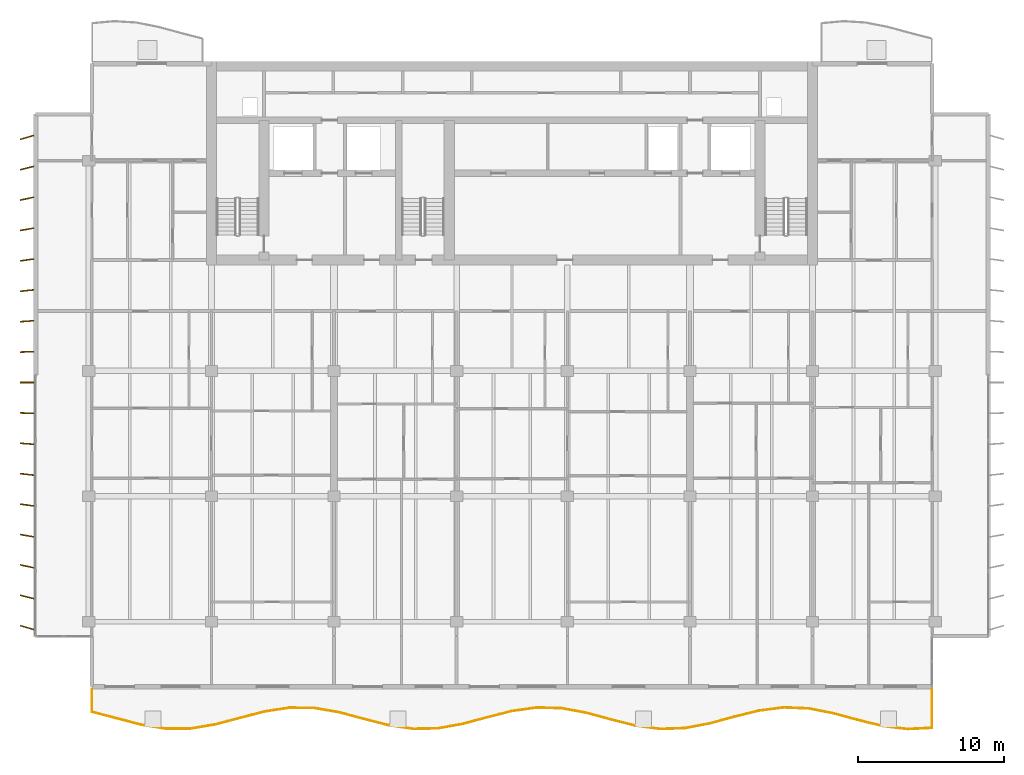
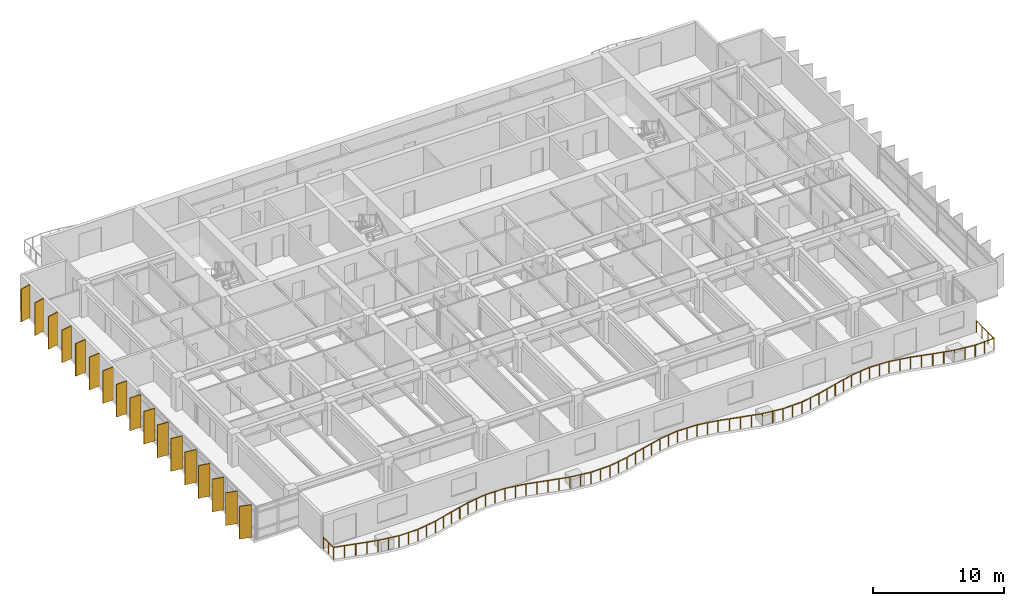
# One storey, part 16 of 19: 17 shading devices, 1 railing.
"""IFC4 building model written with IfcOpenShell, lengths in metres."""

from ifc_helpers import new_model, si_unit, direction, frame, origin, origin_2d, place, context, subcontext, project, spatial, rectangle, circle, extrude, material, material_profile, profile_set, type_object, element, save


model = new_model("IFC4")

# Units and contexts
model_context = context("Model", 3, precision=1e-05, world=origin(), true_north=direction((0.0, 1.0)))
body_context = subcontext(model_context, "Body", "Model", "MODEL_VIEW")
ifc_project = project(units=[si_unit("LENGTHUNIT", "METRE"), si_unit("AREAUNIT", "SQUARE_METRE"), si_unit("VOLUMEUNIT", "CUBIC_METRE"), si_unit("PLANEANGLEUNIT", "RADIAN"), si_unit("MASSUNIT", "GRAM", prefix="KILO")], contexts=[model_context])

# Site, building, storey
site_placement = place(None, origin())
site = spatial("IfcSite", under=ifc_project, at=site_placement, CompositionType="ELEMENT")
building_placement = place(site_placement, origin())
building = spatial("IfcBuilding", under=site, at=building_placement, Name="Caelmar Bay Residences", CompositionType="ELEMENT")
storey_placement = place(building_placement, frame((0.0, 0.0, 188.39990234375)))
storey = spatial("IfcBuildingStorey", under=building, at=storey_placement, Name="L52", CompositionType="ELEMENT", Elevation=188.39990234375)

# Railing
ifc_material_1 = material(Name="Anodised bronze handrail with laminated hurricane glass infill", Category="glass")
railing_type = type_object("IfcRailingType", Name="RL-BAL-1100", PredefinedType="BALUSTRADE", material=ifc_material_1)
railing_placement = place(storey_placement, frame((10.10009765625, 7.60009765625, 0.0)))
element("IfcRailing", 1, at=railing_placement, inside=storey, type_object=railing_type, Name="L52 south Balcony Balustrade", PredefinedType="BALUSTRADE", context=body_context, shape_type="SweptSolid", body=[
    extrude(circle(Radius=0.02392578125, at=origin_2d()), frame((0.0, 0.0, 1.076171875), z_axis=(0.0, -1.0, 0.0), x_axis=(1.0, 0.0, 0.0)), (0.0, 0.0, 1.0), 1.579345703125),
    extrude(circle(Radius=0.02392578125, at=origin_2d()), frame((0.0, -1.579345703125, 1.076171875), z_axis=(0.967213419864, -0.253964959071, 0.0), x_axis=(0.253964959071, 0.967213419864, 0.0)), (0.0, 0.0, 1.0), 1.75146484375),
    extrude(circle(Radius=0.02392578125, at=origin_2d()), frame((1.694091796875, -2.024169921875, 1.076171875), z_axis=(0.967452721497, -0.25305183593, 0.0), x_axis=(0.25305183593, 0.967452721497, 0.0)), (0.0, 0.0, 1.0), 1.7509765625),
    extrude(circle(Radius=0.02392578125, at=origin_2d()), frame((3.38818359375, -2.46728515625, 1.076171875), z_axis=(0.987556706693, -0.15726331761, 0.0), x_axis=(0.15726331761, 0.987556706693, 0.0)), (0.0, 0.0, 1.0), 1.71533203125),
    extrude(circle(Radius=0.02392578125, at=origin_2d()), frame((5.082275390625, -2.737060546875, 1.076171875), z_axis=(0.99998654225, 0.005187997625, 0.0), x_axis=(-0.005187997625, 0.99998654225, 0.0)), (0.0, 0.0, 1.0), 1.694091796875),
    extrude(circle(Radius=0.02392578125, at=origin_2d()), frame((6.7763671875, -2.728271484375, 1.076171875), z_axis=(0.986290005776, 0.165021285013, 0.0), x_axis=(-0.165021285013, 0.986290005776, 0.0)), (0.0, 0.0, 1.0), 1.717529296875),
    extrude(circle(Radius=0.02392578125, at=origin_2d()), frame((8.470458984375, -2.44482421875, 1.076171875), z_axis=(0.966698132287, 0.255919364319, 0.0), x_axis=(-0.255919364319, 0.966698132287, 0.0)), (0.0, 0.0, 1.0), 1.75244140625),
    extrude(circle(Radius=0.02392578125, at=origin_2d()), frame((10.16455078125, -1.996337890625, 1.076171875), z_axis=(0.967996898166, 0.250962158784, 0.0), x_axis=(-0.250962158784, 0.967996898166, 0.0)), (0.0, 0.0, 1.0), 1.75),
    extrude(circle(Radius=0.02392578125, at=origin_2d()), frame((11.858642578125, -1.55712890625, 1.076171875), z_axis=(0.988468659094, 0.151425592249, 0.0), x_axis=(-0.151425592249, 0.988468659094, 0.0)), (0.0, 0.0, 1.0), 1.7138671875),
    extrude(circle(Radius=0.02392578125, at=origin_2d()), frame((13.552734375, -1.297607421875, 1.076171875), z_axis=(0.999923228867, -0.012390979493, 0.0), x_axis=(0.012390979493, 0.999923228867, 0.0)), (0.0, 0.0, 1.0), 1.694580078125),
    extrude(circle(Radius=0.02392578125, at=origin_2d()), frame((15.2470703125, -1.318603515625, 1.076171875), z_axis=(0.985350046959, -0.170544085084, 0.0), x_axis=(0.170544085084, 0.985350046959, 0.0)), (0.0, 0.0, 1.0), 1.71923828125),
    extrude(circle(Radius=0.02392578125, at=origin_2d()), frame((16.941162109375, -1.61181640625, 1.076171875), z_axis=(0.966248805322, -0.257610648486, 0.0), x_axis=(0.257610648486, 0.966248805322, 0.0)), (0.0, 0.0, 1.0), 1.753173828125),
    extrude(circle(Radius=0.02392578125, at=origin_2d()), frame((18.63525390625, -2.0634765625, 1.076171875), z_axis=(0.968570799797, -0.248738026407, 0.0), x_axis=(0.248738026407, 0.968570799797, 0.0)), (0.0, 0.0, 1.0), 1.7490234375),
    extrude(circle(Radius=0.02392578125, at=origin_2d()), frame((20.329345703125, -2.49853515625, 1.076171875), z_axis=(0.989368188115, -0.145432418486, 0.0), x_axis=(0.145432418486, 0.989368188115, 0.0)), (0.0, 0.0, 1.0), 1.71240234375),
    extrude(circle(Radius=0.02392578125, at=origin_2d()), frame((22.0234375, -2.74755859375, 1.076171875), z_axis=(0.999807987745, 0.019595602584, 0.0), x_axis=(-0.019595602584, 0.999807987745, 0.0)), (0.0, 0.0, 1.0), 1.6943359375),
    extrude(circle(Radius=0.02392578125, at=origin_2d()), frame((23.717529296875, -2.71435546875, 1.076171875), z_axis=(0.984381072072, 0.176050858977, 0.0), x_axis=(-0.176050858977, 0.984381072072, 0.0)), (0.0, 0.0, 1.0), 1.720947265625),
    extrude(circle(Radius=0.02392578125, at=origin_2d()), frame((25.41162109375, -2.411376953125, 1.076171875), z_axis=(0.965831790845, 0.259169735488, 0.0), x_axis=(-0.259169735488, 0.965831790845, 0.0)), (0.0, 0.0, 1.0), 1.75390625),
    extrude(circle(Radius=0.02392578125, at=origin_2d()), frame((27.105712890625, -1.956787109375, 1.076171875), z_axis=(0.969240289896, 0.246116355497, 0.0), x_axis=(-0.246116355497, 0.969240289896, 0.0)), (0.0, 0.0, 1.0), 1.747802734375),
    extrude(circle(Radius=0.02392578125, at=origin_2d()), frame((28.7998046875, -1.526611328125, 1.076171875), z_axis=(0.990232888477, 0.139423192397, 0.0), x_axis=(-0.139423192397, 0.990232888477, 0.0)), (0.0, 0.0, 1.0), 1.710693359375),
    extrude(circle(Radius=0.02392578125, at=origin_2d()), frame((30.493896484375, -1.2880859375, 1.076171875), z_axis=(0.999640939062, -0.026795390498, 0.0), x_axis=(0.026795390498, 0.999640939062, 0.0)), (0.0, 0.0, 1.0), 1.694580078125),
    extrude(circle(Radius=0.02392578125, at=origin_2d()), frame((32.18798828125, -1.33349609375, 1.076171875), z_axis=(0.98343856871, -0.181241776568, 0.0), x_axis=(0.181241776568, 0.98343856871, 0.0)), (0.0, 0.0, 1.0), 1.722900390625),
    extrude(circle(Radius=0.02392578125, at=origin_2d()), frame((33.88232421875, -1.645751953125, 1.076171875), z_axis=(0.965447637302, -0.260597121295, 0.0), x_axis=(0.260597121295, 0.965447637302, 0.0)), (0.0, 0.0, 1.0), 1.754638671875),
    extrude(circle(Radius=0.02392578125, at=origin_2d()), frame((35.576416015625, -2.10302734375, 1.076171875), z_axis=(0.969903590413, -0.243489271437, 0.0), x_axis=(0.243489271437, 0.969903590413, 0.0)), (0.0, 0.0, 1.0), 1.74658203125),
    extrude(circle(Radius=0.02392578125, at=origin_2d()), frame((37.2705078125, -2.5283203125, 1.076171875), z_axis=(0.99108135011, -0.133258236007, 0.0), x_axis=(0.133258236007, 0.99108135011, 0.0)), (0.0, 0.0, 1.0), 1.709228515625),
    extrude(circle(Radius=0.02392578125, at=origin_2d()), frame((38.964599609375, -2.756103515625, 1.076171875), z_axis=(0.999422138627, 0.033991010912, 0.0), x_axis=(-0.033991010912, 0.999422138627, 0.0)), (0.0, 0.0, 1.0), 1.695068359375),
    extrude(circle(Radius=0.02392578125, at=origin_2d()), frame((40.65869140625, -2.698486328125, 1.076171875), z_axis=(0.982486971214, 0.186331294728, 0.0), x_axis=(-0.186331294728, 0.982486971214, 0.0)), (0.0, 0.0, 1.0), 1.724365234375),
    extrude(circle(Radius=0.02392578125, at=origin_2d()), frame((42.352783203125, -2.377197265625, 1.076171875), z_axis=(0.965106381562, 0.261858114767, 0.0), x_axis=(-0.261858114767, 0.965106381562, 0.0)), (0.0, 0.0, 1.0), 1.755615234375),
    extrude(circle(Radius=0.02392578125, at=origin_2d()), frame((44.047119140625, -1.91748046875, 1.076171875), z_axis=(0.970626021938, 0.240593278244, 0.0), x_axis=(-0.240593278244, 0.970626021938, 0.0)), (0.0, 0.0, 1.0), 1.745361328125),
    extrude(circle(Radius=0.02392578125, at=origin_2d()), frame((45.7412109375, -1.49755859375, 1.076171875), z_axis=(0.991892756224, 0.127077772054, 0.0), x_axis=(-0.127077772054, 0.991892756224, 0.0)), (0.0, 0.0, 1.0), 1.7080078125),
    extrude(circle(Radius=0.02392578125, at=origin_2d()), frame((47.435302734375, -1.280517578125, 1.076171875), z_axis=(0.999145753411, -0.041325094571, 0.0), x_axis=(0.041325094571, 0.999145753411, 0.0)), (0.0, 0.0, 1.0), 1.695556640625),
    extrude(circle(Radius=0.02392578125, at=origin_2d()), frame((49.12939453125, -1.3505859375, 1.076171875), z_axis=(0.981568979673, -0.191108184398, 0.0), x_axis=(0.191108184398, 0.981568979673, 0.0)), (0.0, 0.0, 1.0), 1.725830078125),
    extrude(circle(Radius=0.02392578125, at=origin_2d()), frame((50.823486328125, -1.680419921875, 1.076171875), z_axis=(0.96477986221, -0.263058581828, 0.0), x_axis=(0.263058581828, 0.96477986221, 0.0)), (0.0, 0.0, 1.0), 1.755859375),
    extrude(circle(Radius=0.02392578125, at=origin_2d()), frame((52.517578125, -2.142333984375, 1.076171875), z_axis=(0.971373168948, -0.237558764621, 0.0), x_axis=(0.237558764621, 0.971373168948, 0.0)), (0.0, 0.0, 1.0), 1.743896484375),
    extrude(circle(Radius=0.02392578125, at=origin_2d()), frame((54.211669921875, -2.556640625, 1.076171875), z_axis=(0.992683982809, -0.120741501872, 0.0), x_axis=(0.120741501872, 0.992683982809, 0.0)), (0.0, 0.0, 1.0), 1.70654296875),
    extrude(circle(Radius=0.02392578125, at=origin_2d()), frame((55.90576171875, -2.7626953125, 1.076171875), z_axis=(0.998822750284, 0.048508901404, 0.0), x_axis=(-0.048508901404, 0.998822750284, 0.0)), (0.0, 0.0, 1.0), 1.696044921875),
    extrude(circle(Radius=0.02392578125, at=origin_2d()), frame((57.599853515625, -2.680419921875, 1.076171875), z_axis=(0.0, 1.0, 0.0), x_axis=(-1.0, 0.0, 0.0)), (0.0, 0.0, 1.0), 2.680419921875),
    extrude(circle(Radius=0.02099609375, at=origin_2d()), origin(), (0.0, 0.0, 1.0), 1.052001953125),
    extrude(circle(Radius=0.02099609375, at=origin_2d()), frame((0.0, -0.78955078125, 0.0)), (0.0, 0.0, 1.0), 1.052001953125),
    extrude(circle(Radius=0.02099609375, at=origin_2d()), frame((0.0, -1.579345703125, 0.0)), (0.0, 0.0, 1.0), 1.052001953125),
    extrude(circle(Radius=0.02099609375, at=origin_2d()), frame((0.84716796875, -1.8017578125, 0.0)), (0.0, 0.0, 1.0), 1.052001953125),
    extrude(circle(Radius=0.02099609375, at=origin_2d()), frame((1.694091796875, -2.024169921875, 0.0)), (0.0, 0.0, 1.0), 1.052001953125),
    extrude(circle(Radius=0.02099609375, at=origin_2d()), frame((2.541015625, -2.24560546875, 0.0)), (0.0, 0.0, 1.0), 1.052001953125),
    extrude(circle(Radius=0.02099609375, at=origin_2d()), frame((3.38818359375, -2.46728515625, 0.0)), (0.0, 0.0, 1.0), 1.052001953125),
    extrude(circle(Radius=0.02099609375, at=origin_2d()), frame((4.2353515625, -2.60205078125, 0.0)), (0.0, 0.0, 1.0), 1.052001953125),
    extrude(circle(Radius=0.02099609375, at=origin_2d()), frame((5.082275390625, -2.737060546875, 0.0)), (0.0, 0.0, 1.0), 1.052001953125),
    extrude(circle(Radius=0.02099609375, at=origin_2d()), frame((5.92919921875, -2.732666015625, 0.0)), (0.0, 0.0, 1.0), 1.052001953125),
    extrude(circle(Radius=0.02099609375, at=origin_2d()), frame((6.7763671875, -2.728271484375, 0.0)), (0.0, 0.0, 1.0), 1.052001953125),
    extrude(circle(Radius=0.02099609375, at=origin_2d()), frame((7.62353515625, -2.58642578125, 0.0)), (0.0, 0.0, 1.0), 1.052001953125),
    extrude(circle(Radius=0.02099609375, at=origin_2d()), frame((8.470458984375, -2.44482421875, 0.0)), (0.0, 0.0, 1.0), 1.052001953125),
    extrude(circle(Radius=0.02099609375, at=origin_2d()), frame((9.3173828125, -2.220703125, 0.0)), (0.0, 0.0, 1.0), 1.052001953125),
    extrude(circle(Radius=0.02099609375, at=origin_2d()), frame((10.16455078125, -1.996337890625, 0.0)), (0.0, 0.0, 1.0), 1.052001953125),
    extrude(circle(Radius=0.02099609375, at=origin_2d()), frame((11.01171875, -1.77685546875, 0.0)), (0.0, 0.0, 1.0), 1.052001953125),
    extrude(circle(Radius=0.02099609375, at=origin_2d()), frame((11.858642578125, -1.55712890625, 0.0)), (0.0, 0.0, 1.0), 1.052001953125),
    extrude(circle(Radius=0.02099609375, at=origin_2d()), frame((12.70556640625, -1.42724609375, 0.0)), (0.0, 0.0, 1.0), 1.052001953125),
    extrude(circle(Radius=0.02099609375, at=origin_2d()), frame((13.552734375, -1.297607421875, 0.0)), (0.0, 0.0, 1.0), 1.052001953125),
    extrude(circle(Radius=0.02099609375, at=origin_2d()), frame((14.39990234375, -1.30810546875, 0.0)), (0.0, 0.0, 1.0), 1.052001953125),
    extrude(circle(Radius=0.02099609375, at=origin_2d()), frame((15.2470703125, -1.318603515625, 0.0)), (0.0, 0.0, 1.0), 1.052001953125),
    extrude(circle(Radius=0.02099609375, at=origin_2d()), frame((16.09423828125, -1.46533203125, 0.0)), (0.0, 0.0, 1.0), 1.052001953125),
    extrude(circle(Radius=0.02099609375, at=origin_2d()), frame((16.941162109375, -1.61181640625, 0.0)), (0.0, 0.0, 1.0), 1.052001953125),
    extrude(circle(Radius=0.02099609375, at=origin_2d()), frame((17.7880859375, -1.837646484375, 0.0)), (0.0, 0.0, 1.0), 1.052001953125),
    extrude(circle(Radius=0.02099609375, at=origin_2d()), frame((18.63525390625, -2.0634765625, 0.0)), (0.0, 0.0, 1.0), 1.052001953125),
    extrude(circle(Radius=0.02099609375, at=origin_2d()), frame((19.482421875, -2.281005859375, 0.0)), (0.0, 0.0, 1.0), 1.052001953125),
    extrude(circle(Radius=0.02099609375, at=origin_2d()), frame((20.329345703125, -2.49853515625, 0.0)), (0.0, 0.0, 1.0), 1.052001953125),
    extrude(circle(Radius=0.02099609375, at=origin_2d()), frame((21.17626953125, -2.623046875, 0.0)), (0.0, 0.0, 1.0), 1.052001953125),
    extrude(circle(Radius=0.02099609375, at=origin_2d()), frame((22.0234375, -2.74755859375, 0.0)), (0.0, 0.0, 1.0), 1.052001953125),
    extrude(circle(Radius=0.02099609375, at=origin_2d()), frame((22.87060546875, -2.73095703125, 0.0)), (0.0, 0.0, 1.0), 1.052001953125),
    extrude(circle(Radius=0.02099609375, at=origin_2d()), frame((23.717529296875, -2.71435546875, 0.0)), (0.0, 0.0, 1.0), 1.052001953125),
    extrude(circle(Radius=0.02099609375, at=origin_2d()), frame((24.564453125, -2.56298828125, 0.0)), (0.0, 0.0, 1.0), 1.052001953125),
    extrude(circle(Radius=0.02099609375, at=origin_2d()), frame((25.41162109375, -2.411376953125, 0.0)), (0.0, 0.0, 1.0), 1.052001953125),
    extrude(circle(Radius=0.02099609375, at=origin_2d()), frame((26.2587890625, -2.18408203125, 0.0)), (0.0, 0.0, 1.0), 1.052001953125),
    extrude(circle(Radius=0.02099609375, at=origin_2d()), frame((27.105712890625, -1.956787109375, 0.0)), (0.0, 0.0, 1.0), 1.052001953125),
    extrude(circle(Radius=0.02099609375, at=origin_2d()), frame((27.95263671875, -1.74169921875, 0.0)), (0.0, 0.0, 1.0), 1.052001953125),
    extrude(circle(Radius=0.02099609375, at=origin_2d()), frame((28.7998046875, -1.526611328125, 0.0)), (0.0, 0.0, 1.0), 1.052001953125),
    extrude(circle(Radius=0.02099609375, at=origin_2d()), frame((29.64697265625, -1.4072265625, 0.0)), (0.0, 0.0, 1.0), 1.052001953125),
    extrude(circle(Radius=0.02099609375, at=origin_2d()), frame((30.493896484375, -1.2880859375, 0.0)), (0.0, 0.0, 1.0), 1.052001953125),
    extrude(circle(Radius=0.02099609375, at=origin_2d()), frame((31.3408203125, -1.310791015625, 0.0)), (0.0, 0.0, 1.0), 1.052001953125),
    extrude(circle(Radius=0.02099609375, at=origin_2d()), frame((32.18798828125, -1.33349609375, 0.0)), (0.0, 0.0, 1.0), 1.052001953125),
    extrude(circle(Radius=0.02099609375, at=origin_2d()), frame((33.03515625, -1.48974609375, 0.0)), (0.0, 0.0, 1.0), 1.052001953125),
    extrude(circle(Radius=0.02099609375, at=origin_2d()), frame((33.88232421875, -1.645751953125, 0.0)), (0.0, 0.0, 1.0), 1.052001953125),
    extrude(circle(Radius=0.02099609375, at=origin_2d()), frame((34.7294921875, -1.87451171875, 0.0)), (0.0, 0.0, 1.0), 1.052001953125),
    extrude(circle(Radius=0.02099609375, at=origin_2d()), frame((35.576416015625, -2.10302734375, 0.0)), (0.0, 0.0, 1.0), 1.052001953125),
    extrude(circle(Radius=0.02099609375, at=origin_2d()), frame((36.42333984375, -2.315673828125, 0.0)), (0.0, 0.0, 1.0), 1.052001953125),
    extrude(circle(Radius=0.02099609375, at=origin_2d()), frame((37.2705078125, -2.5283203125, 0.0)), (0.0, 0.0, 1.0), 1.052001953125),
    extrude(circle(Radius=0.02099609375, at=origin_2d()), frame((38.11767578125, -2.64208984375, 0.0)), (0.0, 0.0, 1.0), 1.052001953125),
    extrude(circle(Radius=0.02099609375, at=origin_2d()), frame((38.964599609375, -2.756103515625, 0.0)), (0.0, 0.0, 1.0), 1.052001953125),
    extrude(circle(Radius=0.02099609375, at=origin_2d()), frame((39.8115234375, -2.727294921875, 0.0)), (0.0, 0.0, 1.0), 1.052001953125),
    extrude(circle(Radius=0.02099609375, at=origin_2d()), frame((40.65869140625, -2.698486328125, 0.0)), (0.0, 0.0, 1.0), 1.052001953125),
    extrude(circle(Radius=0.02099609375, at=origin_2d()), frame((41.505859375, -2.537841796875, 0.0)), (0.0, 0.0, 1.0), 1.052001953125),
    extrude(circle(Radius=0.02099609375, at=origin_2d()), frame((42.352783203125, -2.377197265625, 0.0)), (0.0, 0.0, 1.0), 1.052001953125),
    extrude(circle(Radius=0.02099609375, at=origin_2d()), frame((43.199951171875, -2.1474609375, 0.0)), (0.0, 0.0, 1.0), 1.052001953125),
    extrude(circle(Radius=0.02099609375, at=origin_2d()), frame((44.047119140625, -1.91748046875, 0.0)), (0.0, 0.0, 1.0), 1.052001953125),
    extrude(circle(Radius=0.02099609375, at=origin_2d()), frame((44.89404296875, -1.70751953125, 0.0)), (0.0, 0.0, 1.0), 1.052001953125),
    extrude(circle(Radius=0.02099609375, at=origin_2d()), frame((45.7412109375, -1.49755859375, 0.0)), (0.0, 0.0, 1.0), 1.052001953125),
    extrude(circle(Radius=0.02099609375, at=origin_2d()), frame((46.58837890625, -1.38916015625, 0.0)), (0.0, 0.0, 1.0), 1.052001953125),
    extrude(circle(Radius=0.02099609375, at=origin_2d()), frame((47.435302734375, -1.280517578125, 0.0)), (0.0, 0.0, 1.0), 1.052001953125),
    extrude(circle(Radius=0.02099609375, at=origin_2d()), frame((48.2822265625, -1.3154296875, 0.0)), (0.0, 0.0, 1.0), 1.052001953125),
    extrude(circle(Radius=0.02099609375, at=origin_2d()), frame((49.12939453125, -1.3505859375, 0.0)), (0.0, 0.0, 1.0), 1.052001953125),
    extrude(circle(Radius=0.02099609375, at=origin_2d()), frame((49.9765625, -1.515625, 0.0)), (0.0, 0.0, 1.0), 1.052001953125),
    extrude(circle(Radius=0.02099609375, at=origin_2d()), frame((50.823486328125, -1.680419921875, 0.0)), (0.0, 0.0, 1.0), 1.052001953125),
    extrude(circle(Radius=0.02099609375, at=origin_2d()), frame((51.67041015625, -1.911376953125, 0.0)), (0.0, 0.0, 1.0), 1.052001953125),
    extrude(circle(Radius=0.02099609375, at=origin_2d()), frame((52.517578125, -2.142333984375, 0.0)), (0.0, 0.0, 1.0), 1.052001953125),
    extrude(circle(Radius=0.02099609375, at=origin_2d()), frame((53.36474609375, -2.349609375, 0.0)), (0.0, 0.0, 1.0), 1.052001953125),
    extrude(circle(Radius=0.02099609375, at=origin_2d()), frame((54.211669921875, -2.556640625, 0.0)), (0.0, 0.0, 1.0), 1.052001953125),
    extrude(circle(Radius=0.02099609375, at=origin_2d()), frame((55.05859375, -2.65966796875, 0.0)), (0.0, 0.0, 1.0), 1.052001953125),
    extrude(circle(Radius=0.02099609375, at=origin_2d()), frame((55.90576171875, -2.7626953125, 0.0)), (0.0, 0.0, 1.0), 1.052001953125),
    extrude(circle(Radius=0.02099609375, at=origin_2d()), frame((56.7529296875, -2.7216796875, 0.0)), (0.0, 0.0, 1.0), 1.052001953125),
    extrude(circle(Radius=0.02099609375, at=origin_2d()), frame((57.599853515625, -2.680419921875, 0.0)), (0.0, 0.0, 1.0), 1.052001953125),
    extrude(circle(Radius=0.02099609375, at=origin_2d()), frame((57.599853515625, -1.786865234375, 0.0)), (0.0, 0.0, 1.0), 1.052001953125),
    extrude(circle(Radius=0.02099609375, at=origin_2d()), frame((57.599853515625, -0.8935546875, 0.0)), (0.0, 0.0, 1.0), 1.052001953125),
    extrude(circle(Radius=0.02099609375, at=origin_2d()), frame((57.599853515625, 0.0, 0.0)), (0.0, 0.0, 1.0), 1.052001953125),
])

# Shading devices
ifc_material_2 = material(Name="Anodised architectural bronze aluminium 6063-T6", Category="aluminium")
ifc_material_profile = material_profile(ifc_material_2, rectangle(XDim=0.074951171875, YDim=0.949951171875, at=origin_2d()), Name="BRONZE-FIN-75X950")
ifc_profile_set = profile_set([ifc_material_profile], Name="Anodised architectural bronze aluminium 6063-T6")
shading_device_type = type_object("IfcShadingDeviceType", Name="SHD-FIN-950", PredefinedType="USERDEFINED", material=ifc_profile_set)
for number, where, z_axis, x_axis, name in (
    (2, (5.64990234375, 11.800048828125, 0.0), (0.0, 0.0, 1.0), (0.275637355817, 0.961261695938, 0.0), "L52 West Bronze Solar Fin 1"),
    (3, (5.64990234375, 13.89990234375, 0.0), (0.0, 0.0, 1.0), (0.2419218956, 0.970295726276, 0.0), "L52 West Bronze Solar Fin 2"),
    (4, (5.64990234375, 16.0, 0.0), (0.0, 0.0, 1.0), (0.207911690818, 0.978147600734, 0.0), "L52 West Bronze Solar Fin 3"),
    (5, (5.64990234375, 18.10009765625, 0.0), (0.0, 0.0, 1.0), (0.173648177667, 0.984807753012, 0.0), "L52 West Bronze Solar Fin 4"),
    (6, (5.64990234375, 20.199951171875, 0.0), (0.0, 0.0, 1.0), (0.13917310096, 0.990268068742, 0.0), "L52 West Bronze Solar Fin 5"),
    (7, (5.64990234375, 22.300048828125, 0.0), (0.0, 0.0, 1.0), (0.104528463268, 0.994521895368, 0.0), "L52 West Bronze Solar Fin 6"),
    (8, (5.64990234375, 24.39990234375, 0.0), (0.0, 0.0, 1.0), (0.069756473744, 0.99756405026, 0.0), "L52 West Bronze Solar Fin 7"),
    (9, (5.64990234375, 26.5, 0.0), (0.0, 0.0, 1.0), (0.034899496703, 0.999390827019, 0.0), "L52 West Bronze Solar Fin 8"),
    (10, (5.64990234375, 28.60009765625, 0.0), (0.0, 0.0, 1.0), (0.0, 1.0, 0.0), "L52 West Bronze Solar Fin 9"),
    (11, (5.64990234375, 30.699951171875, 0.0), (0.0, 0.0, 1.0), (-0.034899496703, 0.999390827019, 0.0), "L52 West Bronze Solar Fin 10"),
    (12, (5.64990234375, 32.800048828125, 0.0), (0.0, 0.0, 1.0), (-0.069756473744, 0.99756405026, 0.0), "L52 West Bronze Solar Fin 11"),
    (13, (5.64990234375, 34.89990234375, 0.0), (0.0, 0.0, 1.0), (-0.104528463268, 0.994521895368, 0.0), "L52 West Bronze Solar Fin 12"),
    (14, (5.64990234375, 37.0, 0.0), (0.0, 0.0, 1.0), (-0.13917310096, 0.990268068742, 0.0), "L52 West Bronze Solar Fin 13"),
    (15, (5.64990234375, 39.10009765625, 0.0), (0.0, 0.0, 1.0), (-0.173648177667, 0.984807753012, 0.0), "L52 West Bronze Solar Fin 14"),
    (16, (5.64990234375, 41.199951171875, 0.0), (0.0, 0.0, 1.0), (-0.207911690818, 0.978147600734, 0.0), "L52 West Bronze Solar Fin 15"),
    (17, (5.64990234375, 43.300048828125, 0.0), (0.0, 0.0, 1.0), (-0.2419218956, 0.970295726276, 0.0), "L52 West Bronze Solar Fin 16"),
    (18, (5.64990234375, 45.39990234375, 0.0), (0.0, 0.0, 1.0), (-0.275637355817, 0.961261695938, 0.0), "L52 West Bronze Solar Fin 17"),
):
    element("IfcShadingDevice", number, at=place(storey_placement, frame(where, z_axis=z_axis, x_axis=x_axis)), inside=storey, type_object=shading_device_type, Name=name, ObjectType="FIN", PredefinedType="USERDEFINED", context=body_context, shape_type="SweptSolid", body=[
        extrude(rectangle(XDim=0.074951171875, YDim=0.949951171875, at=origin_2d()), origin(), (0.0, 0.0, 1.0), 3.050048828125),
    ])

save(model, "model.ifc")
